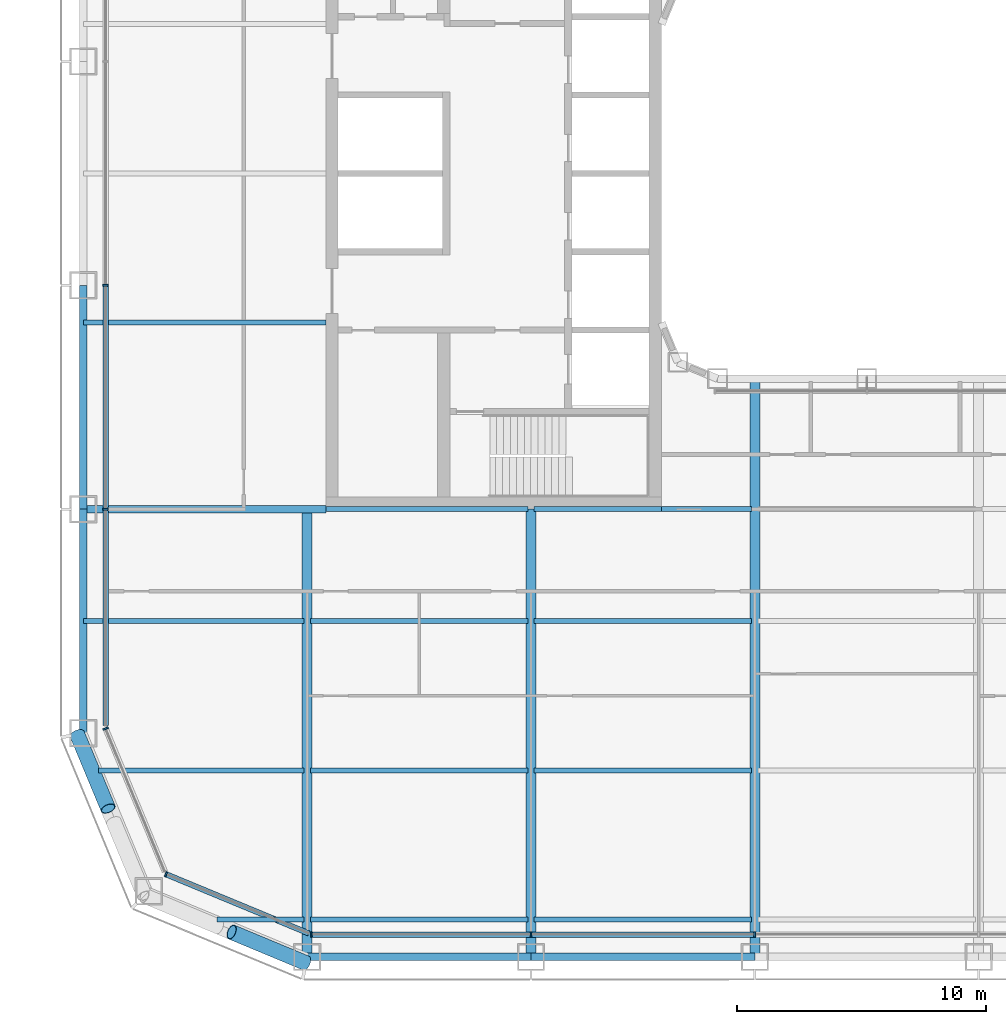
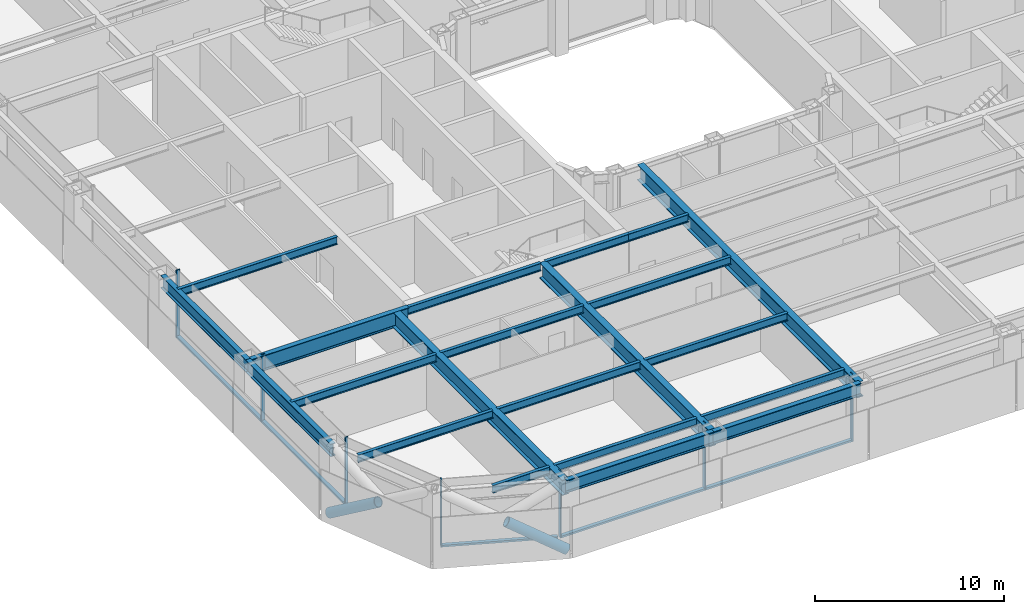
# One storey, part 2 of 29: 21 beams, 14 members, 4 elements without a shape of their own.
"""IFC4 building model written with IfcOpenShell, lengths in metres."""

from ifc_helpers import new_model, si_unit, direction, frame, origin, origin_2d, place, context, subcontext, project, spatial, rectangle, hollow_circle, i_section, extrude, material, layer, layer_set, material_profile, profile_set, type_object, element, aggregate, save


model = new_model("IFC4")

# Units and contexts
model_context = context("Model", 3, precision=1e-05, world=origin(), true_north=direction((0.0, 1.0)))
body_context = subcontext(model_context, "Body", "Model", "MODEL_VIEW")
ifc_project = project(units=[si_unit("LENGTHUNIT", "METRE"), si_unit("AREAUNIT", "SQUARE_METRE"), si_unit("VOLUMEUNIT", "CUBIC_METRE"), si_unit("PLANEANGLEUNIT", "RADIAN"), si_unit("MASSUNIT", "GRAM", prefix="KILO")], contexts=[model_context])

# Site, building, storey
site_placement = place(None, origin())
site = spatial("IfcSite", under=ifc_project, at=site_placement, CompositionType="ELEMENT")
building_placement = place(site_placement, origin())
building = spatial("IfcBuilding", under=site, at=building_placement, Name="Siwar Civic Tower", CompositionType="ELEMENT")
storey_placement = place(building_placement, frame((0.0, 0.0, 49.199951171875)))
storey = spatial("IfcBuildingStorey", under=building, at=storey_placement, Name="L10", CompositionType="ELEMENT", Elevation=49.199951171875)

# Curtain wall, members
ifc_material_1 = material(Name="Aluminium and glass", Category="aluminium")
ifc_layer_1 = layer(ifc_material_1, 0.219970703125)
ifc_layer_set_1 = layer_set([ifc_layer_1], Name="Aluminium and glass")
curtain_wall_type_1 = type_object("IfcCurtainWallType", Name="ENV-CW-A", PredefinedType="NOTDEFINED", material=ifc_layer_set_1)
curtain_wall_1_placement = place(storey_placement, origin())
curtain_wall_1 = element("IfcCurtainWall", 1, at=curtain_wall_1_placement, inside=storey, type_object=curtain_wall_type_1, Name="Curtain wall A S", PredefinedType="NOTDEFINED")
ifc_material_2 = material(Name="Aluminium 6063-T6", Category="aluminium")
ifc_material_profile_1 = material_profile(ifc_material_2, rectangle(XDim=0.219970703125, YDim=0.070068359375, at=origin_2d()), Name="AL 220x70")
ifc_profile_set_1 = profile_set([ifc_material_profile_1], Name="Aluminium 6063-T6")
member_type_1 = type_object("IfcMemberType", Name="ENV-MULLION-A", PredefinedType="MULLION", material=ifc_profile_set_1)
member_1_placement = place(storey_placement, frame((-22.321044921875, -30.60009765625, 0.0), z_axis=(0.0, 0.0, 1.0), x_axis=(0.0, 1.0, 0.0)))
member_1 = element("IfcMember", 2, at=member_1_placement, type_object=member_type_1, Name="Mullion A S 1", PredefinedType="MULLION", context=body_context, shape_type="SweptSolid", body=[
    extrude(rectangle(XDim=0.219970703125, YDim=0.070068359375, at=origin_2d()), origin(), (0.0, 0.0, 1.0), 4.35009765625),
])
member_2_placement = place(storey_placement, frame((-13.5, -30.60009765625, 0.0), z_axis=(0.0, 0.0, 1.0), x_axis=(0.0, 1.0, 0.0)))
member_2 = element("IfcMember", 3, at=member_2_placement, type_object=member_type_1, Name="Mullion A S 2", PredefinedType="MULLION", context=body_context, shape_type="SweptSolid", body=[
    extrude(rectangle(XDim=0.219970703125, YDim=0.070068359375, at=origin_2d()), origin(), (0.0, 0.0, 1.0), 4.35009765625),
])
member_3_placement = place(storey_placement, frame((-4.5, -30.60009765625, 0.0), z_axis=(0.0, 0.0, 1.0), x_axis=(0.0, 1.0, 0.0)))
member_3 = element("IfcMember", 4, at=member_3_placement, type_object=member_type_1, Name="Mullion A S 3", PredefinedType="MULLION", context=body_context, shape_type="SweptSolid", body=[
    extrude(rectangle(XDim=0.219970703125, YDim=0.070068359375, at=origin_2d()), origin(), (0.0, 0.0, 1.0), 4.35009765625),
])

curtain_wall_2_placement = place(storey_placement, origin())
curtain_wall_2 = element("IfcCurtainWall", 5, at=curtain_wall_2_placement, inside=storey, type_object=curtain_wall_type_1, Name="Curtain wall A W", PredefinedType="NOTDEFINED")
member_4_placement = place(storey_placement, frame((-30.60009765625, -4.5, 0.0), z_axis=(0.0, 0.0, 1.0), x_axis=(1.0, 0.0, 0.0)))
member_4 = element("IfcMember", 6, at=member_4_placement, type_object=member_type_1, Name="Mullion A W 4", PredefinedType="MULLION", context=body_context, shape_type="SweptSolid", body=[
    extrude(rectangle(XDim=0.219970703125, YDim=0.070068359375, at=origin_2d()), origin(), (0.0, 0.0, 1.0), 4.35009765625),
])
member_5_placement = place(storey_placement, frame((-30.60009765625, -13.5, 0.0), z_axis=(0.0, 0.0, 1.0), x_axis=(1.0, 0.0, 0.0)))
member_5 = element("IfcMember", 7, at=member_5_placement, type_object=member_type_1, Name="Mullion A W 5", PredefinedType="MULLION", context=body_context, shape_type="SweptSolid", body=[
    extrude(rectangle(XDim=0.219970703125, YDim=0.070068359375, at=origin_2d()), origin(), (0.0, 0.0, 1.0), 4.35009765625),
])

# Curtain wall, member
ifc_material_3 = material(Name="Aluminium clad insulated panel", Category="aluminium")
ifc_layer_2 = layer(ifc_material_3, 0.219970703125)
ifc_layer_set_2 = layer_set([ifc_layer_2], Name="Aluminium clad insulated panel")
curtain_wall_type_2 = type_object("IfcCurtainWallType", Name="ENV-CW-AX", PredefinedType="NOTDEFINED", material=ifc_layer_set_2)
curtain_wall_3_placement = place(storey_placement, origin())
curtain_wall_3 = element("IfcCurtainWall", 8, at=curtain_wall_3_placement, inside=storey, type_object=curtain_wall_type_2, Name="Curtain wall A SW1", PredefinedType="NOTDEFINED")
member_6_placement = place(storey_placement, frame((-30.60009765625, -22.321044921875, 0.0), z_axis=(0.0, 0.0, 1.0), x_axis=(0.923879532511, 0.382683432365, 0.0)))
member_6 = element("IfcMember", 9, at=member_6_placement, type_object=member_type_1, Name="Mullion A SW1 1", PredefinedType="MULLION", context=body_context, shape_type="SweptSolid", body=[
    extrude(rectangle(XDim=0.219970703125, YDim=0.070068359375, at=origin_2d()), origin(), (0.0, 0.0, 1.0), 4.35009765625),
])
aggregate(curtain_wall_3, [member_6])

curtain_wall_4_placement = place(storey_placement, origin())
curtain_wall_4 = element("IfcCurtainWall", 10, at=curtain_wall_4_placement, inside=storey, type_object=curtain_wall_type_2, Name="Curtain wall A SW2", PredefinedType="NOTDEFINED")
member_7_placement = place(storey_placement, frame((-28.175048828125, -28.175048828125, 0.0), z_axis=(0.0, 0.0, 1.0), x_axis=(0.382683432365, 0.923879532511, 0.0)))
member_7 = element("IfcMember", 11, at=member_7_placement, type_object=member_type_1, Name="Mullion A SW2 1", PredefinedType="MULLION", context=body_context, shape_type="SweptSolid", body=[
    extrude(rectangle(XDim=0.219970703125, YDim=0.070068359375, at=origin_2d()), origin(), (0.0, 0.0, 1.0), 4.35009765625),
])

# Member
ifc_material_4 = material(Name="Aluminium 6063-T6", Category="aluminium")
ifc_material_profile_2 = material_profile(ifc_material_4, rectangle(XDim=0.219970703125, YDim=0.1201171875, at=origin_2d()), Name="AL 220x120")
ifc_profile_set_2 = profile_set([ifc_material_profile_2], Name="Aluminium 6063-T6")
member_type_2 = type_object("IfcMemberType", Name="ENV-TRANSOM-A", PredefinedType="USERDEFINED", material=ifc_profile_set_2)
member_8_placement = place(storey_placement, frame((-22.285888671875, -30.60009765625, 0.06005859375), z_axis=(1.0, 0.0, 0.0), x_axis=(0.0, 1.0, 0.0)))
member_8 = element("IfcMember", 12, at=member_8_placement, type_object=member_type_2, Name="Transom A S 1", ObjectType="TRANSOM", PredefinedType="USERDEFINED", context=body_context, shape_type="SweptSolid", body=[
    extrude(rectangle(XDim=0.219970703125, YDim=0.1201171875, at=origin_2d()), origin(), (0.0, 0.0, 1.0), 8.7509765625),
])

member_9_placement = place(storey_placement, frame((-13.465087890625, -30.60009765625, 0.06005859375), z_axis=(1.0, 0.0, 0.0), x_axis=(0.0, 1.0, 0.0)))
member_9 = element("IfcMember", 13, at=member_9_placement, type_object=member_type_2, Name="Transom A S 2", ObjectType="TRANSOM", PredefinedType="USERDEFINED", context=body_context, shape_type="SweptSolid", body=[
    extrude(rectangle(XDim=0.219970703125, YDim=0.1201171875, at=origin_2d()), origin(), (0.0, 0.0, 1.0), 8.93017578125),
])

aggregate(curtain_wall_1, [member_1, member_2, member_3, member_8, member_9])

member_10_placement = place(storey_placement, frame((-30.60009765625, -4.534912109375, 0.06005859375), z_axis=(0.0, -1.0, 0.0), x_axis=(1.0, 0.0, 0.0)))
member_10 = element("IfcMember", 14, at=member_10_placement, type_object=member_type_2, Name="Transom A W 4", ObjectType="TRANSOM", PredefinedType="USERDEFINED", context=body_context, shape_type="SweptSolid", body=[
    extrude(rectangle(XDim=0.219970703125, YDim=0.1201171875, at=origin_2d()), origin(), (0.0, 0.0, 1.0), 8.93017578125),
])

member_11_placement = place(storey_placement, frame((-30.60009765625, -13.534912109375, 0.06005859375), z_axis=(0.0, -1.0, 0.0), x_axis=(1.0, 0.0, 0.0)))
member_11 = element("IfcMember", 15, at=member_11_placement, type_object=member_type_2, Name="Transom A W 5", ObjectType="TRANSOM", PredefinedType="USERDEFINED", context=body_context, shape_type="SweptSolid", body=[
    extrude(rectangle(XDim=0.219970703125, YDim=0.1201171875, at=origin_2d()), origin(), (0.0, 0.0, 1.0), 8.66357421875),
])

aggregate(curtain_wall_2, [member_4, member_5, member_10, member_11])

member_12_placement = place(storey_placement, frame((-28.142822265625, -28.1884765625, 0.06005859375), z_axis=(0.923873326341, -0.382698415042, 0.0), x_axis=(0.382698415042, 0.923873326341, 0.0)))
member_12 = element("IfcMember", 16, at=member_12_placement, type_object=member_type_2, Name="Transom A SW2 1", ObjectType="TRANSOM", PredefinedType="USERDEFINED", context=body_context, shape_type="SweptSolid", body=[
    extrude(rectangle(XDim=0.219970703125, YDim=0.1201171875, at=origin_2d()), origin(), (0.0, 0.0, 1.0), 6.17919921875),
])

aggregate(curtain_wall_4, [member_7, member_12])

# Members
ifc_material_5 = material(Name="Steel S355", Category="steel")
ifc_material_profile_3 = material_profile(ifc_material_5, hollow_circle(Radius=0.304931640625, WallThickness=0.030029296875, at=origin_2d()), Name="CHS610x30")
ifc_profile_set_3 = profile_set([ifc_material_profile_3], Name="Steel S355")
member_type_3 = type_object("IfcMemberType", Name="STR-BR-CHS610x30", PredefinedType="BRACE", material=ifc_profile_set_3)
for number, where, z_axis, x_axis, name in (
    (17, (-22.548828125, -31.7451171875, 0.0), (-0.777533059308, 0.323882123145, 0.539020140617), (-0.384524353215, -0.923114847559, 0.0), "L10/brc/ASW1-9-0-2"),
    (18, (-31.7451171875, -22.548828125, 0.0), (0.323882123145, -0.777533059308, 0.539020140617), (0.923114847559, 0.384524353215, 0.0), "L10/brc/ASW1-9-0-4"),
):
    element("IfcMember", number, at=place(storey_placement, frame(where, z_axis=z_axis, x_axis=x_axis)), inside=storey, type_object=member_type_3, Name=name, PredefinedType="BRACE", context=body_context, shape_type="SweptSolid", body=[
        extrude(hollow_circle(Radius=0.304931640625, WallThickness=0.030029296875, at=origin_2d()), origin(), (0.0, 0.0, 1.0), 3.843505859375),
    ])

# Beams
ifc_material_6 = material(Name="Steel S355", Category="steel")
ifc_material_profile_4 = material_profile(ifc_material_6, i_section(OverallWidth=0.199951171875, OverallDepth=0.5, WebThickness=0.01025390625, FlangeThickness=0.01611328125, FilletRadius=0.02099609375, at=origin_2d()), Name="IPE500")
ifc_profile_set_4 = profile_set([ifc_material_profile_4], Name="Steel S355")
beam_type_1 = type_object("IfcBeamType", Name="STR-FB-IPE500", PredefinedType="JOIST", material=ifc_profile_set_4)
beam_1_placement = place(storey_placement, frame((-26.121337890625, -30.0, 4.10009765625), z_axis=(1.0, 0.0, 0.0), x_axis=(0.0, 1.0, 0.0)))
element("IfcBeam", 19, at=beam_1_placement, inside=storey, type_object=beam_type_1, Name="L10/bm/F001", PredefinedType="JOIST", context=body_context, shape_type="SweptSolid", body=[
    extrude(i_section(OverallWidth=0.199951171875, OverallDepth=0.5, WebThickness=0.01025390625, FlangeThickness=0.01611328125, FilletRadius=0.02099609375, at=origin_2d()), origin(), (0.0, 0.0, 1.0), 3.491455078125),
])
for number, where, z_axis, x_axis, name in (
    (20, (-22.3701171875, -30.0, 4.10009765625), (1.0, 0.0, 0.0), (0.0, 1.0, 0.0), "L10/bm/F002"),
    (21, (-13.3701171875, -30.0, 4.10009765625), (1.0, 0.0, 0.0), (0.0, 1.0, 0.0), "L10/bm/F003"),
):
    element("IfcBeam", number, at=place(storey_placement, frame(where, z_axis=z_axis, x_axis=x_axis)), inside=storey, type_object=beam_type_1, Name=name, PredefinedType="JOIST", context=body_context, shape_type="SweptSolid", body=[
        extrude(i_section(OverallWidth=0.199951171875, OverallDepth=0.5, WebThickness=0.01025390625, FlangeThickness=0.01611328125, FilletRadius=0.02099609375, at=origin_2d()), origin(), (0.0, 0.0, 1.0), 8.740234375),
    ])
beam_2_placement = place(storey_placement, frame((-30.878662109375, -24.0, 4.10009765625), z_axis=(1.0, 0.0, 0.0), x_axis=(0.0, 1.0, 0.0)))
element("IfcBeam", 22, at=beam_2_placement, inside=storey, type_object=beam_type_1, Name="L10/bm/F008", PredefinedType="JOIST", context=body_context, shape_type="SweptSolid", body=[
    extrude(i_section(OverallWidth=0.199951171875, OverallDepth=0.5, WebThickness=0.01025390625, FlangeThickness=0.01611328125, FilletRadius=0.02099609375, at=origin_2d()), origin(), (0.0, 0.0, 1.0), 8.248779296875),
])
for number, where, z_axis, x_axis, name in (
    (23, (-22.3701171875, -24.0, 4.10009765625), (1.0, 0.0, 0.0), (0.0, 1.0, 0.0), "L10/bm/F009"),
    (24, (-13.3701171875, -24.0, 4.10009765625), (1.0, 0.0, 0.0), (0.0, 1.0, 0.0), "L10/bm/F010"),
):
    element("IfcBeam", number, at=place(storey_placement, frame(where, z_axis=z_axis, x_axis=x_axis)), inside=storey, type_object=beam_type_1, Name=name, PredefinedType="JOIST", context=body_context, shape_type="SweptSolid", body=[
        extrude(i_section(OverallWidth=0.199951171875, OverallDepth=0.5, WebThickness=0.01025390625, FlangeThickness=0.01611328125, FilletRadius=0.02099609375, at=origin_2d()), origin(), (0.0, 0.0, 1.0), 8.740234375),
    ])
beam_3_placement = place(storey_placement, frame((-31.5, -18.0, 4.10009765625), z_axis=(1.0, 0.0, 0.0), x_axis=(0.0, 1.0, 0.0)))
element("IfcBeam", 25, at=beam_3_placement, inside=storey, type_object=beam_type_1, Name="L10/bm/F015", PredefinedType="JOIST", context=body_context, shape_type="SweptSolid", body=[
    extrude(i_section(OverallWidth=0.199951171875, OverallDepth=0.5, WebThickness=0.01025390625, FlangeThickness=0.01611328125, FilletRadius=0.02099609375, at=origin_2d()), origin(), (0.0, 0.0, 1.0), 8.8701171875),
])
for number, where, z_axis, x_axis, name in (
    (26, (-22.3701171875, -18.0, 4.10009765625), (1.0, 0.0, 0.0), (0.0, 1.0, 0.0), "L10/bm/F016"),
    (27, (-13.3701171875, -18.0, 4.10009765625), (1.0, 0.0, 0.0), (0.0, 1.0, 0.0), "L10/bm/F017"),
):
    element("IfcBeam", number, at=place(storey_placement, frame(where, z_axis=z_axis, x_axis=x_axis)), inside=storey, type_object=beam_type_1, Name=name, PredefinedType="JOIST", context=body_context, shape_type="SweptSolid", body=[
        extrude(i_section(OverallWidth=0.199951171875, OverallDepth=0.5, WebThickness=0.01025390625, FlangeThickness=0.01611328125, FilletRadius=0.02099609375, at=origin_2d()), origin(), (0.0, 0.0, 1.0), 8.740234375),
    ])
beam_4_placement = place(storey_placement, frame((-21.75, -13.5, 4.10009765625), z_axis=(1.0, 0.0, 0.0), x_axis=(0.0, 1.0, 0.0)))
element("IfcBeam", 28, at=beam_4_placement, inside=storey, type_object=beam_type_1, Name="L10/bm/F023", PredefinedType="JOIST", context=body_context, shape_type="SweptSolid", body=[
    extrude(i_section(OverallWidth=0.199951171875, OverallDepth=0.5, WebThickness=0.01025390625, FlangeThickness=0.01611328125, FilletRadius=0.02099609375, at=origin_2d()), origin(), (0.0, 0.0, 1.0), 8.1201171875),
])
beam_5_placement = place(storey_placement, frame((-13.3701171875, -13.5, 4.10009765625), z_axis=(1.0, 0.0, 0.0), x_axis=(0.0, 1.0, 0.0)))
element("IfcBeam", 29, at=beam_5_placement, inside=storey, type_object=beam_type_1, Name="L10/bm/F024", PredefinedType="JOIST", context=body_context, shape_type="SweptSolid", body=[
    extrude(i_section(OverallWidth=0.199951171875, OverallDepth=0.5, WebThickness=0.01025390625, FlangeThickness=0.01611328125, FilletRadius=0.02099609375, at=origin_2d()), origin(), (0.0, 0.0, 1.0), 5.1201171875),
])
beam_6_placement = place(storey_placement, frame((-8.25, -13.5, 4.10009765625), z_axis=(1.0, 0.0, 0.0), x_axis=(0.0, 1.0, 0.0)))
element("IfcBeam", 30, at=beam_6_placement, inside=storey, type_object=beam_type_1, Name="L10/bm/F025", PredefinedType="JOIST", context=body_context, shape_type="SweptSolid", body=[
    extrude(i_section(OverallWidth=0.199951171875, OverallDepth=0.5, WebThickness=0.01025390625, FlangeThickness=0.01611328125, FilletRadius=0.02099609375, at=origin_2d()), origin(), (0.0, 0.0, 1.0), 3.6201171875),
])
beam_7_placement = place(storey_placement, frame((-31.5, -6.0, 4.10009765625), z_axis=(1.0, 0.0, 0.0), x_axis=(0.0, 1.0, 0.0)))
element("IfcBeam", 31, at=beam_7_placement, inside=storey, type_object=beam_type_1, Name="L10/bm/F031", PredefinedType="JOIST", context=body_context, shape_type="SweptSolid", body=[
    extrude(i_section(OverallWidth=0.199951171875, OverallDepth=0.5, WebThickness=0.01025390625, FlangeThickness=0.01611328125, FilletRadius=0.02099609375, at=origin_2d()), origin(), (0.0, 0.0, 1.0), 9.75),
])
ifc_material_7 = material(Name="Steel S355", Category="steel")
ifc_material_profile_5 = material_profile(ifc_material_7, i_section(OverallWidth=0.300048828125, OverallDepth=1.0, WebThickness=0.01904296875, FlangeThickness=0.035888671875, FilletRadius=0.030029296875, at=origin_2d()), Name="HEB1000")
ifc_profile_set_5 = profile_set([ifc_material_profile_5], Name="Steel S355")
beam_type_2 = type_object("IfcBeamType", Name="STR-PG-HEB1000", PredefinedType="BEAM", material=ifc_profile_set_5)
beam_8_placement = place(storey_placement, frame((-31.5, -13.5, 3.85009765625), z_axis=(1.0, 0.0, 0.0), x_axis=(0.0, 1.0, 0.0)))
element("IfcBeam", 32, at=beam_8_placement, inside=storey, type_object=beam_type_2, Name="L10/bm/F022", PredefinedType="BEAM", context=body_context, shape_type="SweptSolid", body=[
    extrude(i_section(OverallWidth=0.300048828125, OverallDepth=1.0, WebThickness=0.01904296875, FlangeThickness=0.035888671875, FilletRadius=0.030029296875, at=origin_2d()), origin(), (0.0, 0.0, 1.0), 9.75),
])
ifc_material_8 = material(Name="Steel S355", Category="steel")
ifc_material_profile_6 = material_profile(ifc_material_8, i_section(OverallWidth=0.39990234375, OverallDepth=1.0, WebThickness=0.01611328125, FlangeThickness=0.0400390625, at=origin_2d()), Name="PG1000x400x16x40")
ifc_profile_set_6 = profile_set([ifc_material_profile_6], Name="Steel S355")
beam_type_3 = type_object("IfcBeamType", Name="STR-PG-PG1000x400x16x40", PredefinedType="BEAM", material=ifc_profile_set_6)
for number, where, z_axis, x_axis, name in (
    (33, (-22.5, -31.5, 3.85009765625), (0.0, 1.0, 0.0), (-1.0, 0.0, 0.0), "L10/bm/G01"),
    (34, (-13.5, -31.5, 3.85009765625), (0.0, 1.0, 0.0), (-1.0, 0.0, 0.0), "L10/bm/G03"),
):
    element("IfcBeam", number, at=place(storey_placement, frame(where, z_axis=z_axis, x_axis=x_axis)), inside=storey, type_object=beam_type_3, Name=name, PredefinedType="BEAM", context=body_context, shape_type="SweptSolid", body=[
        extrude(i_section(OverallWidth=0.39990234375, OverallDepth=1.0, WebThickness=0.01611328125, FlangeThickness=0.0400390625, at=origin_2d()), origin(), (0.0, 0.0, 1.0), 18.0),
    ])
beam_9_placement = place(storey_placement, frame((-4.5, -31.5, 3.85009765625), z_axis=(0.0, 1.0, 0.0), x_axis=(-1.0, 0.0, 0.0)))
element("IfcBeam", 35, at=beam_9_placement, inside=storey, type_object=beam_type_3, Name="L10/bm/G05", PredefinedType="BEAM", context=body_context, shape_type="SweptSolid", body=[
    extrude(i_section(OverallWidth=0.39990234375, OverallDepth=1.0, WebThickness=0.01611328125, FlangeThickness=0.0400390625, at=origin_2d()), origin(), (0.0, 0.0, 1.0), 23.25),
])
ifc_material_9 = material(Name="Steel S355", Category="steel")
ifc_material_profile_7 = material_profile(ifc_material_9, i_section(OverallWidth=0.302978515625, OverallDepth=0.81396484375, WebThickness=0.02099609375, FlangeThickness=0.0400390625, FilletRadius=0.030029296875, at=origin_2d()), Name="HEM800")
ifc_profile_set_7 = profile_set([ifc_material_profile_7], Name="Steel S355")
beam_type_4 = type_object("IfcBeamType", Name="STR-SB-HEM800", PredefinedType="BEAM", material=ifc_profile_set_7)
for number, where, z_axis, x_axis, name in (
    (36, (-22.5, -31.5, 3.943115234375), (1.0, 0.0, 0.0), (0.0, 1.0, 0.0), "L10/bm/SS-0"),
    (37, (-13.5, -31.5, 3.943115234375), (1.0, 0.0, 0.0), (0.0, 1.0, 0.0), "L10/bm/SS-1"),
    (38, (-31.5, -4.5, 3.943115234375), (0.0, -1.0, 0.0), (1.0, 0.0, 0.0), "L10/bm/SW-3"),
    (39, (-31.5, -13.5, 3.943115234375), (0.0, -1.0, 0.0), (1.0, 0.0, 0.0), "L10/bm/SW-4"),
):
    element("IfcBeam", number, at=place(storey_placement, frame(where, z_axis=z_axis, x_axis=x_axis)), inside=storey, type_object=beam_type_4, Name=name, PredefinedType="BEAM", context=body_context, shape_type="SweptSolid", body=[
        extrude(i_section(OverallWidth=0.302978515625, OverallDepth=0.81396484375, WebThickness=0.02099609375, FlangeThickness=0.0400390625, FilletRadius=0.030029296875, at=origin_2d()), origin(), (0.0, 0.0, 1.0), 9.0),
    ])

save(model, "model.ifc")
